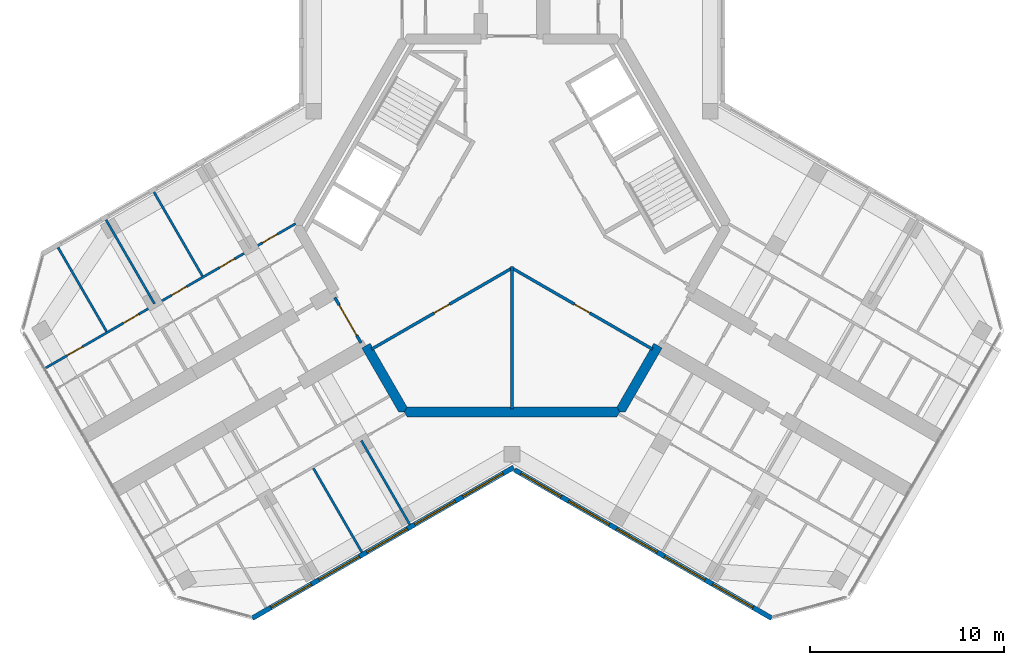
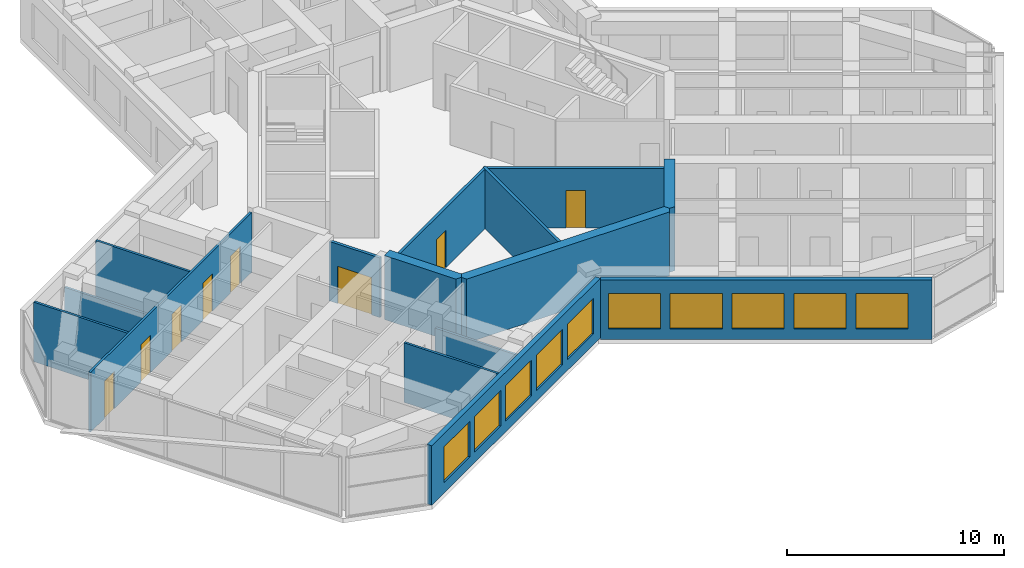
# One storey, part 8 of 14: 15 walls, 10 windows, 8 doors, 18 openings.
"""IFC4 building model written with IfcOpenShell, lengths in metres."""

from ifc_helpers import new_model, si_unit, direction, frame, frame_2d, origin, place, context, subcontext, project, spatial, polyline, rectangle, outline, extrude, material, layer, layer_set, type_object, element, fill, save


model = new_model("IFC4")

# Units and contexts
model_context = context("Model", 3, precision=1e-05, world=origin(), true_north=direction((0.0, 1.0)))
body_context = subcontext(model_context, "Body", "Model", "MODEL_VIEW")
ifc_project = project(units=[si_unit("LENGTHUNIT", "METRE"), si_unit("AREAUNIT", "SQUARE_METRE"), si_unit("VOLUMEUNIT", "CUBIC_METRE"), si_unit("PLANEANGLEUNIT", "RADIAN"), si_unit("MASSUNIT", "GRAM", prefix="KILO")], contexts=[model_context])

# Site, building, storey
site_placement = place(None, origin())
site = spatial("IfcSite", under=ifc_project, at=site_placement, CompositionType="ELEMENT")
building_placement = place(site_placement, origin())
building = spatial("IfcBuilding", under=site, at=building_placement, Name="Kosmar Iwan School Tower", CompositionType="ELEMENT")
storey_placement = place(building_placement, frame((0.0, 0.0, 292.60009765625)))
storey = spatial("IfcBuildingStorey", under=building, at=storey_placement, Name="L74", CompositionType="ELEMENT", Elevation=292.60009765625)

# Wall
ifc_material_1 = material(Name="Gypsum board on steel studs, fire-rated", Category="steel")
ifc_layer_1 = layer(ifc_material_1, 0.14990234375)
ifc_layer_set_1 = layer_set([ifc_layer_1], Name="Core room partition 150")
wall_type_1 = type_object("IfcWallType", Name="Core room partition 150", PredefinedType="PARTITIONING", material=ifc_layer_set_1)
wall_1_placement = place(storey_placement, frame((0.0, -9.445068359375, 0.0), z_axis=(0.0, 0.0, 1.0), x_axis=(0.0, 1.0, 0.0)))
element("IfcWall", 1, at=wall_1_placement, inside=storey, type_object=wall_type_1, Name="Core room partition L74-CW5", PredefinedType="PARTITIONING", context=body_context, shape_type="SweptSolid", body=[
    extrude(rectangle(XDim=7.326171875, YDim=0.14990234375, at=frame_2d((3.6630859375, 0.0))), origin(), (0.0, 0.0, 1.0), 3.349853515625),
])

# Wall, opening, door
wall_2_placement = place(storey_placement, frame((-0.06494140625, -2.156494140625, 0.0), z_axis=(0.0, 0.0, 1.0), x_axis=(0.866026299211, -0.499998449073, 0.0)))
wall_2 = element("IfcWall", 2, at=wall_2_placement, inside=storey, type_object=wall_type_1, Name="Core room partition L74-CW6", PredefinedType="PARTITIONING", context=body_context, shape_type="SweptSolid", body=[
    extrude(rectangle(XDim=8.4228515625, YDim=0.14990234375, at=frame_2d((4.21142578125, 0.0))), origin(), (0.0, 0.0, 1.0), 3.349853515625),
])
opening_1_placement = place(wall_2_placement, frame((3.797119140625, 0.0, 0.0)))
opening_1 = element("IfcOpeningElement", 3, at=opening_1_placement, cuts=wall_2, Name="Opening D14", PredefinedType="OPENING", context=body_context, shape_type="SweptSolid", body=[
    extrude(rectangle(XDim=0.89990234375, YDim=2.10009765625, at=frame_2d((0.449951171875, 1.050048828125))), frame((0.0, 0.0869140625, 0.0), z_axis=(0.0, -1.0, 0.0), x_axis=(1.0, 0.0, 0.0)), (0.0, 0.0, 1.0), 0.173828125),
])
ifc_material_2 = material(Name="Timber fire door in steel frame", Category="steel")
door_type_1 = type_object("IfcDoorType", Name="Core room door 900x2100", OperationType="SINGLE_SWING_LEFT", PredefinedType="DOOR", material=ifc_material_2)
door_1_placement = place(opening_1_placement, origin())
door_1 = element("IfcDoor", 4, at=door_1_placement, inside=storey, type_object=door_type_1, Name="Bulky waste store door L74 3", OperationType="SINGLE_SWING_RIGHT", OverallHeight=2.10009765625, OverallWidth=0.89990234375, PredefinedType="DOOR", context=body_context, shape_type="SweptSolid", body=[
    extrude(rectangle(XDim=0.89990234375, YDim=2.10009765625, at=frame_2d((0.449951171875, 1.050048828125))), frame((0.0, 0.02490234375, 0.0), z_axis=(0.0, -1.0, 0.0), x_axis=(1.0, 0.0, 0.0)), (0.0, 0.0, 1.0), 0.050048828125),
])
fill(opening_1, door_1)

wall_3_placement = place(storey_placement, frame((-7.2294921875, -6.367919921875, 0.0), z_axis=(0.0, 0.0, 1.0), x_axis=(0.866026299211, 0.499998449073, 0.0)))
wall_3 = element("IfcWall", 5, at=wall_3_placement, inside=storey, type_object=wall_type_1, Name="Core room partition L74-CW7", PredefinedType="PARTITIONING", context=body_context, shape_type="SweptSolid", body=[
    extrude(rectangle(XDim=8.4228515625, YDim=0.14990234375, at=frame_2d((4.21142578125, 0.0))), origin(), (0.0, 0.0, 1.0), 3.349853515625),
])
opening_2_placement = place(wall_3_placement, frame((3.72705078125, 0.0, 0.0)))
opening_2 = element("IfcOpeningElement", 6, at=opening_2_placement, cuts=wall_3, Name="Opening D14", PredefinedType="OPENING", context=body_context, shape_type="SweptSolid", body=[
    extrude(rectangle(XDim=0.89990234375, YDim=2.10009765625, at=frame_2d((0.449951171875, 1.050048828125))), frame((0.0, 0.0869140625, 0.0), z_axis=(0.0, -1.0, 0.0), x_axis=(1.0, 0.0, 0.0)), (0.0, 0.0, 1.0), 0.173828125),
])
door_2_placement = place(opening_2_placement, origin())
door_2 = element("IfcDoor", 7, at=door_2_placement, inside=storey, type_object=door_type_1, Name="Residents' laundry room door L74 4", OperationType="SINGLE_SWING_LEFT", OverallHeight=2.10009765625, OverallWidth=0.89990234375, PredefinedType="DOOR", context=body_context, shape_type="SweptSolid", body=[
    extrude(rectangle(XDim=0.89990234375, YDim=2.10009765625, at=frame_2d((0.449951171875, 1.050048828125))), frame((0.0, 0.02490234375, 0.0), z_axis=(0.0, -1.0, 0.0), x_axis=(1.0, 0.0, 0.0)), (0.0, 0.0, 1.0), 0.050048828125),
])
fill(opening_2, door_2)

# Walls
ifc_material_3 = material(Name="Concrete C50/60", Category="concrete")
ifc_layer_2 = layer(ifc_material_3, 0.5)
ifc_layer_set_2 = layer_set([ifc_layer_2], Name="Core wall 500")
wall_type_2 = type_object("IfcWallType", Name="Core wall 500", PredefinedType="SHEAR", material=ifc_layer_set_2)
wall_4_placement = place(storey_placement, origin())
element("IfcWall", 8, at=wall_4_placement, inside=storey, type_object=wall_type_2, Name="Core wall F210b", PredefinedType="SHEAR", context=body_context, shape_type="SweptSolid", body=[
    extrude(outline(polyline([(-5.831298828125, -9.60009765625), (-5.54248046875, -9.60009765625), (-5.398193359375, -9.35009765625), (-7.29736328125, -6.060546875), (-7.73046875, -6.310546875), (-5.831298828125, -9.60009765625)])), origin(), (0.0, 0.0, 1.0), 3.599853515625),
])
wall_5_placement = place(storey_placement, origin())
element("IfcWall", 9, at=wall_5_placement, inside=storey, type_object=wall_type_2, Name="Core wall F270", PredefinedType="SHEAR", context=body_context, shape_type="SweptSolid", body=[
    extrude(outline(polyline([(-5.398193359375, -9.85009765625), (5.398193359375, -9.85009765625), (5.54248046875, -9.60009765625), (5.398193359375, -9.35009765625), (-5.398193359375, -9.35009765625), (-5.54248046875, -9.60009765625), (-5.398193359375, -9.85009765625)])), origin(), (0.0, 0.0, 1.0), 3.599853515625),
])
wall_6_placement = place(storey_placement, origin())
element("IfcWall", 10, at=wall_6_placement, inside=storey, type_object=wall_type_2, Name="Core wall F330a", PredefinedType="SHEAR", context=body_context, shape_type="SweptSolid", body=[
    extrude(outline(polyline([(5.54248046875, -9.60009765625), (5.831298828125, -9.60009765625), (7.73046875, -6.310546875), (7.29736328125, -6.060546875), (5.398193359375, -9.35009765625), (5.54248046875, -9.60009765625)])), origin(), (0.0, 0.0, 1.0), 3.599853515625),
])

# Wall, opening, door
ifc_material_4 = material(Name="Steel framed glazed screen", Category="steel")
ifc_layer_3 = layer(ifc_material_4, 0.14990234375)
ifc_layer_set_3 = layer_set([ifc_layer_3], Name="Corridor screen wall 150")
wall_type_3 = type_object("IfcWallType", Name="Corridor screen wall 150", PredefinedType="PARTITIONING", material=ifc_layer_set_3)
wall_7_placement = place(storey_placement, frame((-9.11865234375, -3.705810546875, 0.0), z_axis=(0.0, 0.0, 1.0), x_axis=(0.4999416173, -0.866059108428, 0.0)))
wall_7 = element("IfcWall", 11, at=wall_7_placement, inside=storey, type_object=wall_type_3, Name="Corridor screen B L74", PredefinedType="PARTITIONING", context=body_context, shape_type="SweptSolid", body=[
    extrude(rectangle(XDim=2.699951171875, YDim=0.14990234375, at=frame_2d((1.35009765625, 0.0))), origin(), (0.0, 0.0, 1.0), 3.349853515625),
])
opening_3_placement = place(wall_7_placement, frame((0.449951171875, 0.0, 0.0)))
opening_3 = element("IfcOpeningElement", 12, at=opening_3_placement, cuts=wall_7, Name="Opening D9", PredefinedType="OPENING", context=body_context, shape_type="SweptSolid", body=[
    extrude(rectangle(XDim=1.800048828125, YDim=2.10009765625, at=frame_2d((0.89990234375, 1.050048828125))), frame((0.0, 0.0869140625, 0.0), z_axis=(0.0, -1.0, 0.0), x_axis=(1.0, 0.0, 0.0)), (0.0, 0.0, 1.0), 0.173828125),
])
ifc_material_5 = material(Name="Steel framed glazed smoke door", Category="steel")
door_type_2 = type_object("IfcDoorType", Name="Corridor smoke door pair 1800x2100", OperationType="DOUBLE_DOOR_DOUBLE_SWING", PredefinedType="DOOR", material=ifc_material_5)
door_3_placement = place(opening_3_placement, origin())
door_3 = element("IfcDoor", 13, at=door_3_placement, inside=storey, type_object=door_type_2, Name="Corridor doors B L74", OperationType="DOUBLE_DOOR_DOUBLE_SWING", OverallHeight=2.10009765625, OverallWidth=1.800048828125, PredefinedType="DOOR", context=body_context, shape_type="SweptSolid", body=[
    extrude(rectangle(XDim=1.800048828125, YDim=2.10009765625, at=frame_2d((0.89990234375, 1.050048828125))), frame((0.0, 0.02490234375, 0.0), z_axis=(0.0, -1.0, 0.0), x_axis=(1.0, 0.0, 0.0)), (0.0, 0.0, 1.0), 0.050048828125),
])
fill(opening_3, door_3)

# Walls
ifc_material_6 = material(Name="Gypsum board on steel studs", Category="steel")
ifc_layer_4 = layer(ifc_material_6, 0.1201171875)
ifc_layer_set_4 = layer_set([ifc_layer_4], Name="Dwelling partition 120")
wall_type_4 = type_object("IfcWallType", Name="Dwelling partition 120", PredefinedType="PARTITIONING", material=ifc_layer_set_4)
wall_8_placement = place(storey_placement, frame((-7.75390625, -11.070068359375, 0.0), z_axis=(0.0, 0.0, 1.0), x_axis=(0.500011847778, -0.866018563358, 0.0)))
element("IfcWall", 14, at=wall_8_placement, inside=storey, type_object=wall_type_4, Name="Partition L74-BL1-X1", PredefinedType="PARTITIONING", context=body_context, shape_type="SweptSolid", body=[
    extrude(rectangle(XDim=4.990234375, YDim=0.1201171875, at=frame_2d((2.4951171875, 0.0))), origin(), (0.0, 0.0, 1.0), 2.449951171875),
])
wall_9_placement = place(storey_placement, frame((-10.221923828125, -12.4951171875, 0.0), z_axis=(0.0, 0.0, 1.0), x_axis=(0.499996339024, -0.86602751744, 0.0)))
element("IfcWall", 15, at=wall_9_placement, inside=storey, type_object=wall_type_4, Name="Partition L74-BL1-X2", PredefinedType="PARTITIONING", context=body_context, shape_type="SweptSolid", body=[
    extrude(rectangle(XDim=4.98974609375, YDim=0.1201171875, at=frame_2d((2.494873046875, 0.0))), origin(), (0.0, 0.0, 1.0), 3.349853515625),
])

# Wall, openings, doors
wall_10_placement = place(storey_placement, frame((-11.138916015625, 0.093017578125, 0.0), z_axis=(0.0, 0.0, 1.0), x_axis=(-0.866030301974, -0.499991515992, 0.0)))
wall_10 = element("IfcWall", 16, at=wall_10_placement, inside=storey, type_object=wall_type_4, Name="Partition L74-BR1-W2", PredefinedType="PARTITIONING", context=body_context, shape_type="SweptSolid", body=[
    extrude(rectangle(XDim=14.844970703125, YDim=0.1201171875, at=frame_2d((7.42236328125, 0.0))), origin(), (0.0, 0.0, 1.0), 3.349853515625),
])
opening_4_placement = place(wall_10_placement, frame((1.074951171875, 0.0, 0.0)))
opening_4 = element("IfcOpeningElement", 17, at=opening_4_placement, cuts=wall_10, Name="Opening D2", PredefinedType="OPENING", context=body_context, shape_type="SweptSolid", body=[
    extrude(rectangle(XDim=0.89990234375, YDim=2.10009765625, at=frame_2d((0.449951171875, 1.050048828125))), frame((0.0, 0.072021484375, 0.0), z_axis=(0.0, -1.0, 0.0), x_axis=(1.0, 0.0, 0.0)), (0.0, 0.0, 1.0), 0.14404296875),
])
opening_5_placement = place(wall_10_placement, frame((3.625, 0.0, 0.0)))
opening_5 = element("IfcOpeningElement", 18, at=opening_5_placement, cuts=wall_10, Name="Opening D2", PredefinedType="OPENING", context=body_context, shape_type="SweptSolid", body=[
    extrude(rectangle(XDim=0.89990234375, YDim=2.10009765625, at=frame_2d((0.449951171875, 1.050048828125))), frame((0.0, 0.072021484375, 0.0), z_axis=(0.0, -1.0, 0.0), x_axis=(1.0, 0.0, 0.0)), (0.0, 0.0, 1.0), 0.14404296875),
])
opening_6_placement = place(wall_10_placement, frame((6.47509765625, 0.0, 0.0)))
opening_6 = element("IfcOpeningElement", 19, at=opening_6_placement, cuts=wall_10, Name="Opening D2", PredefinedType="OPENING", context=body_context, shape_type="SweptSolid", body=[
    extrude(rectangle(XDim=0.89990234375, YDim=2.10009765625, at=frame_2d((0.449951171875, 1.050048828125))), frame((0.0, 0.072021484375, 0.0), z_axis=(0.0, -1.0, 0.0), x_axis=(1.0, 0.0, 0.0)), (0.0, 0.0, 1.0), 0.14404296875),
])
opening_7_placement = place(wall_10_placement, frame((9.324951171875, 0.0, 0.0)))
opening_7 = element("IfcOpeningElement", 20, at=opening_7_placement, cuts=wall_10, Name="Opening D2", PredefinedType="OPENING", context=body_context, shape_type="SweptSolid", body=[
    extrude(rectangle(XDim=0.89990234375, YDim=2.10009765625, at=frame_2d((0.449951171875, 1.050048828125))), frame((0.0, 0.072021484375, 0.0), z_axis=(0.0, -1.0, 0.0), x_axis=(1.0, 0.0, 0.0)), (0.0, 0.0, 1.0), 0.14404296875),
])
opening_8_placement = place(wall_10_placement, frame((12.675048828125, 0.0, 0.0)))
opening_8 = element("IfcOpeningElement", 21, at=opening_8_placement, cuts=wall_10, Name="Opening D2", PredefinedType="OPENING", context=body_context, shape_type="SweptSolid", body=[
    extrude(rectangle(XDim=0.89990234375, YDim=2.10009765625, at=frame_2d((0.449951171875, 1.050048828125))), frame((0.0, 0.072021484375, 0.0), z_axis=(0.0, -1.0, 0.0), x_axis=(1.0, 0.0, 0.0)), (0.0, 0.0, 1.0), 0.14404296875),
])
ifc_material_7 = material(Name="Timber door in timber frame", Category="wood")
door_type_3 = type_object("IfcDoorType", Name="Internal door 900x2100", OperationType="SINGLE_SWING_LEFT", PredefinedType="DOOR", material=ifc_material_7)
door_4_placement = place(opening_4_placement, origin())
door_4 = element("IfcDoor", 22, at=door_4_placement, inside=storey, type_object=door_type_3, Name="Living room and kitchen door L74-BR1-F1", OperationType="SINGLE_SWING_LEFT", OverallHeight=2.10009765625, OverallWidth=0.89990234375, PredefinedType="DOOR", context=body_context, shape_type="SweptSolid", body=[
    extrude(rectangle(XDim=0.89990234375, YDim=2.10009765625, at=frame_2d((0.449951171875, 1.050048828125))), frame((0.0, 0.02490234375, 0.0), z_axis=(0.0, -1.0, 0.0), x_axis=(1.0, 0.0, 0.0)), (0.0, 0.0, 1.0), 0.050048828125),
])
fill(opening_4, door_4)
door_5_placement = place(opening_5_placement, origin())
door_5 = element("IfcDoor", 23, at=door_5_placement, inside=storey, type_object=door_type_3, Name="Study door L74-BR1-F2", OperationType="SINGLE_SWING_LEFT", OverallHeight=2.10009765625, OverallWidth=0.89990234375, PredefinedType="DOOR", context=body_context, shape_type="SweptSolid", body=[
    extrude(rectangle(XDim=0.89990234375, YDim=2.10009765625, at=frame_2d((0.449951171875, 1.050048828125))), frame((0.0, 0.02490234375, 0.0), z_axis=(0.0, -1.0, 0.0), x_axis=(1.0, 0.0, 0.0)), (0.0, 0.0, 1.0), 0.050048828125),
])
fill(opening_5, door_5)
door_6_placement = place(opening_6_placement, origin())
door_6 = element("IfcDoor", 24, at=door_6_placement, inside=storey, type_object=door_type_3, Name="Bedroom 2 door L74-BR1-F3", OperationType="SINGLE_SWING_LEFT", OverallHeight=2.10009765625, OverallWidth=0.89990234375, PredefinedType="DOOR", context=body_context, shape_type="SweptSolid", body=[
    extrude(rectangle(XDim=0.89990234375, YDim=2.10009765625, at=frame_2d((0.449951171875, 1.050048828125))), frame((0.0, 0.02490234375, 0.0), z_axis=(0.0, -1.0, 0.0), x_axis=(1.0, 0.0, 0.0)), (0.0, 0.0, 1.0), 0.050048828125),
])
fill(opening_6, door_6)
door_7_placement = place(opening_7_placement, origin())
door_7 = element("IfcDoor", 25, at=door_7_placement, inside=storey, type_object=door_type_3, Name="Dining room door L74-BR1-F4", OperationType="SINGLE_SWING_RIGHT", OverallHeight=2.10009765625, OverallWidth=0.89990234375, PredefinedType="DOOR", context=body_context, shape_type="SweptSolid", body=[
    extrude(rectangle(XDim=0.89990234375, YDim=2.10009765625, at=frame_2d((0.449951171875, 1.050048828125))), frame((0.0, 0.02490234375, 0.0), z_axis=(0.0, -1.0, 0.0), x_axis=(1.0, 0.0, 0.0)), (0.0, 0.0, 1.0), 0.050048828125),
])
fill(opening_7, door_7)
door_8_placement = place(opening_8_placement, origin())
door_8 = element("IfcDoor", 26, at=door_8_placement, inside=storey, type_object=door_type_3, Name="Bedroom 1 door L74-BR1-F5", OperationType="SINGLE_SWING_RIGHT", OverallHeight=2.10009765625, OverallWidth=0.89990234375, PredefinedType="DOOR", context=body_context, shape_type="SweptSolid", body=[
    extrude(rectangle(XDim=0.89990234375, YDim=2.10009765625, at=frame_2d((0.449951171875, 1.050048828125))), frame((0.0, 0.02490234375, 0.0), z_axis=(0.0, -1.0, 0.0), x_axis=(1.0, 0.0, 0.0)), (0.0, 0.0, 1.0), 0.050048828125),
])
fill(opening_8, door_8)

# Walls
wall_11_placement = place(storey_placement, frame((-15.931884765625, -2.60498046875, 0.0), z_axis=(0.0, 0.0, 1.0), x_axis=(-0.500011847778, 0.866018563358, 0.0)))
element("IfcWall", 27, at=wall_11_placement, inside=storey, type_object=wall_type_4, Name="Partition L74-BR1-X2", PredefinedType="PARTITIONING", context=body_context, shape_type="SweptSolid", body=[
    extrude(rectangle(XDim=4.990234375, YDim=0.1201171875, at=frame_2d((2.4951171875, 0.0))), origin(), (0.0, 0.0, 1.0), 3.349853515625),
])
wall_12_placement = place(storey_placement, frame((-18.400146484375, -4.030029296875, 0.0), z_axis=(0.0, 0.0, 1.0), x_axis=(-0.500011847778, 0.866018563358, 0.0)))
element("IfcWall", 28, at=wall_12_placement, inside=storey, type_object=wall_type_4, Name="Partition L74-BR1-X3", PredefinedType="PARTITIONING", context=body_context, shape_type="SweptSolid", body=[
    extrude(rectangle(XDim=4.990234375, YDim=0.1201171875, at=frame_2d((2.4951171875, 0.0))), origin(), (0.0, 0.0, 1.0), 2.449951171875),
])
wall_13_placement = place(storey_placement, frame((-20.868408203125, -5.455078125, 0.0), z_axis=(0.0, 0.0, 1.0), x_axis=(-0.499975153383, 0.86603974851, 0.0)))
element("IfcWall", 29, at=wall_13_placement, inside=storey, type_object=wall_type_4, Name="Partition L74-BR1-X4", PredefinedType="PARTITIONING", context=body_context, shape_type="SweptSolid", body=[
    extrude(rectangle(XDim=4.989990234375, YDim=0.1201171875, at=frame_2d((2.4951171875, 0.0))), origin(), (0.0, 0.0, 1.0), 3.349853515625),
])

# Wall, openings, windows
ifc_material_8 = material(Name="Black aluminium rainscreen on insulated framing", Category="aluminium")
ifc_layer_5 = layer(ifc_material_8, 0.25)
ifc_layer_set_5 = layer_set([ifc_layer_5], Name="External wall rainscreen 250")
wall_type_5 = type_object("IfcWallType", Name="External wall rainscreen 250", PredefinedType="SOLIDWALL", material=ifc_layer_set_5)
wall_14_placement = place(storey_placement, frame((0.088134765625, -12.44873046875, 0.0), z_axis=(0.0, 0.0, 1.0), x_axis=(-0.866029894971, -0.499992220956, 0.0)))
wall_14 = element("IfcWall", 30, at=wall_14_placement, inside=storey, type_object=wall_type_5, Name="External wall BL L74", PredefinedType="SOLIDWALL", context=body_context, shape_type="SweptSolid", body=[
    extrude(rectangle(XDim=15.537353515625, YDim=0.25, at=frame_2d((7.7685546875, 0.0))), origin(), (0.0, 0.0, 1.0), 3.349853515625),
])
opening_9_placement = place(wall_14_placement, frame((0.626953125, 0.0, 0.60009765625)))
opening_9 = element("IfcOpeningElement", 31, at=opening_9_placement, cuts=wall_14, Name="Opening W6", PredefinedType="OPENING", context=body_context, shape_type="SweptSolid", body=[
    extrude(rectangle(XDim=2.39990234375, YDim=2.0, at=frame_2d((1.199951171875, 1.0))), frame((0.0, 0.136962890625, 0.0), z_axis=(0.0, -1.0, 0.0), x_axis=(1.0, 0.0, 0.0)), (0.0, 0.0, 1.0), 0.27392578125),
])
opening_10_placement = place(wall_14_placement, frame((3.47705078125, 0.0, 0.60009765625)))
opening_10 = element("IfcOpeningElement", 32, at=opening_10_placement, cuts=wall_14, Name="Opening W6", PredefinedType="OPENING", context=body_context, shape_type="SweptSolid", body=[
    extrude(rectangle(XDim=2.39990234375, YDim=2.0, at=frame_2d((1.199951171875, 1.0))), frame((0.0, 0.136962890625, 0.0), z_axis=(0.0, -1.0, 0.0), x_axis=(1.0, 0.0, 0.0)), (0.0, 0.0, 1.0), 0.27392578125),
])
opening_11_placement = place(wall_14_placement, frame((6.326904296875, 0.0, 0.60009765625)))
opening_11 = element("IfcOpeningElement", 33, at=opening_11_placement, cuts=wall_14, Name="Opening W6", PredefinedType="OPENING", context=body_context, shape_type="SweptSolid", body=[
    extrude(rectangle(XDim=2.39990234375, YDim=2.0, at=frame_2d((1.199951171875, 1.0))), frame((0.0, 0.136962890625, 0.0), z_axis=(0.0, -1.0, 0.0), x_axis=(1.0, 0.0, 0.0)), (0.0, 0.0, 1.0), 0.27392578125),
])
opening_12_placement = place(wall_14_placement, frame((9.177001953125, 0.0, 0.60009765625)))
opening_12 = element("IfcOpeningElement", 34, at=opening_12_placement, cuts=wall_14, Name="Opening W6", PredefinedType="OPENING", context=body_context, shape_type="SweptSolid", body=[
    extrude(rectangle(XDim=2.39990234375, YDim=2.0, at=frame_2d((1.199951171875, 1.0))), frame((0.0, 0.136962890625, 0.0), z_axis=(0.0, -1.0, 0.0), x_axis=(1.0, 0.0, 0.0)), (0.0, 0.0, 1.0), 0.27392578125),
])
opening_13_placement = place(wall_14_placement, frame((12.027099609375, 0.0, 0.60009765625)))
opening_13 = element("IfcOpeningElement", 35, at=opening_13_placement, cuts=wall_14, Name="Opening W6", PredefinedType="OPENING", context=body_context, shape_type="SweptSolid", body=[
    extrude(rectangle(XDim=2.39990234375, YDim=2.0, at=frame_2d((1.199951171875, 1.0))), frame((0.0, 0.136962890625, 0.0), z_axis=(0.0, -1.0, 0.0), x_axis=(1.0, 0.0, 0.0)), (0.0, 0.0, 1.0), 0.27392578125),
])
ifc_material_9 = material(Name="Black aluminium frame with dark triple glazing", Category="aluminium")
window_type = type_object("IfcWindowType", Name="Window 2400x2000", PartitioningType="SINGLE_PANEL", PredefinedType="WINDOW", material=ifc_material_9)
window_1_placement = place(opening_9_placement, origin())
window_1 = element("IfcWindow", 36, at=window_1_placement, inside=storey, type_object=window_type, Name="Window BL L74 -1", OverallHeight=2.0, OverallWidth=2.39990234375, PartitioningType="SINGLE_PANEL", PredefinedType="WINDOW", context=body_context, shape_type="SweptSolid", body=[
    extrude(rectangle(XDim=2.39990234375, YDim=2.0, at=frame_2d((1.199951171875, 1.0))), frame((0.0, 0.030029296875, 0.0), z_axis=(0.0, -1.0, 0.0), x_axis=(1.0, 0.0, 0.0)), (0.0, 0.0, 1.0), 0.06005859375),
])
fill(opening_9, window_1)
window_2_placement = place(opening_10_placement, origin())
window_2 = element("IfcWindow", 37, at=window_2_placement, inside=storey, type_object=window_type, Name="Window BL L74 0", OverallHeight=2.0, OverallWidth=2.39990234375, PartitioningType="SINGLE_PANEL", PredefinedType="WINDOW", context=body_context, shape_type="SweptSolid", body=[
    extrude(rectangle(XDim=2.39990234375, YDim=2.0, at=frame_2d((1.199951171875, 1.0))), frame((0.0, 0.030029296875, 0.0), z_axis=(0.0, -1.0, 0.0), x_axis=(1.0, 0.0, 0.0)), (0.0, 0.0, 1.0), 0.06005859375),
])
fill(opening_10, window_2)
window_3_placement = place(opening_11_placement, origin())
window_3 = element("IfcWindow", 38, at=window_3_placement, inside=storey, type_object=window_type, Name="Window BL L74 1", OverallHeight=2.0, OverallWidth=2.39990234375, PartitioningType="SINGLE_PANEL", PredefinedType="WINDOW", context=body_context, shape_type="SweptSolid", body=[
    extrude(rectangle(XDim=2.39990234375, YDim=2.0, at=frame_2d((1.199951171875, 1.0))), frame((0.0, 0.030029296875, 0.0), z_axis=(0.0, -1.0, 0.0), x_axis=(1.0, 0.0, 0.0)), (0.0, 0.0, 1.0), 0.06005859375),
])
fill(opening_11, window_3)
window_4_placement = place(opening_12_placement, origin())
window_4 = element("IfcWindow", 39, at=window_4_placement, inside=storey, type_object=window_type, Name="Window BL L74 2", OverallHeight=2.0, OverallWidth=2.39990234375, PartitioningType="SINGLE_PANEL", PredefinedType="WINDOW", context=body_context, shape_type="SweptSolid", body=[
    extrude(rectangle(XDim=2.39990234375, YDim=2.0, at=frame_2d((1.199951171875, 1.0))), frame((0.0, 0.030029296875, 0.0), z_axis=(0.0, -1.0, 0.0), x_axis=(1.0, 0.0, 0.0)), (0.0, 0.0, 1.0), 0.06005859375),
])
fill(opening_12, window_4)
window_5_placement = place(opening_13_placement, origin())
window_5 = element("IfcWindow", 40, at=window_5_placement, inside=storey, type_object=window_type, Name="Window BL L74 3", OverallHeight=2.0, OverallWidth=2.39990234375, PartitioningType="SINGLE_PANEL", PredefinedType="WINDOW", context=body_context, shape_type="SweptSolid", body=[
    extrude(rectangle(XDim=2.39990234375, YDim=2.0, at=frame_2d((1.199951171875, 1.0))), frame((0.0, 0.030029296875, 0.0), z_axis=(0.0, -1.0, 0.0), x_axis=(1.0, 0.0, 0.0)), (0.0, 0.0, 1.0), 0.06005859375),
])
fill(opening_13, window_5)

wall_15_placement = place(storey_placement, frame((0.137939453125, -12.5791015625, 0.0), z_axis=(0.0, 0.0, 1.0), x_axis=(0.866025637253, -0.499999595621, 0.0)))
wall_15 = element("IfcWall", 41, at=wall_15_placement, inside=storey, type_object=wall_type_5, Name="External wall CR L74", PredefinedType="SOLIDWALL", context=body_context, shape_type="SweptSolid", body=[
    extrude(rectangle(XDim=15.2763671875, YDim=0.25, at=frame_2d((7.63818359375, 0.0))), origin(), (0.0, 0.0, 1.0), 3.349853515625),
])
opening_14_placement = place(wall_15_placement, frame((0.365966796875, 0.0, 0.60009765625)))
opening_14 = element("IfcOpeningElement", 42, at=opening_14_placement, cuts=wall_15, Name="Opening W6", PredefinedType="OPENING", context=body_context, shape_type="SweptSolid", body=[
    extrude(rectangle(XDim=2.39990234375, YDim=2.0, at=frame_2d((1.199951171875, 1.0))), frame((0.0, 0.136962890625, 0.0), z_axis=(0.0, -1.0, 0.0), x_axis=(1.0, 0.0, 0.0)), (0.0, 0.0, 1.0), 0.27392578125),
])
opening_15_placement = place(wall_15_placement, frame((3.216064453125, 0.0, 0.60009765625)))
opening_15 = element("IfcOpeningElement", 43, at=opening_15_placement, cuts=wall_15, Name="Opening W6", PredefinedType="OPENING", context=body_context, shape_type="SweptSolid", body=[
    extrude(rectangle(XDim=2.39990234375, YDim=2.0, at=frame_2d((1.199951171875, 1.0))), frame((0.0, 0.136962890625, 0.0), z_axis=(0.0, -1.0, 0.0), x_axis=(1.0, 0.0, 0.0)), (0.0, 0.0, 1.0), 0.27392578125),
])
opening_16_placement = place(wall_15_placement, frame((6.06591796875, 0.0, 0.60009765625)))
opening_16 = element("IfcOpeningElement", 44, at=opening_16_placement, cuts=wall_15, Name="Opening W6", PredefinedType="OPENING", context=body_context, shape_type="SweptSolid", body=[
    extrude(rectangle(XDim=2.39990234375, YDim=2.0, at=frame_2d((1.199951171875, 1.0))), frame((0.0, 0.136962890625, 0.0), z_axis=(0.0, -1.0, 0.0), x_axis=(1.0, 0.0, 0.0)), (0.0, 0.0, 1.0), 0.27392578125),
])
opening_17_placement = place(wall_15_placement, frame((8.916015625, 0.0, 0.60009765625)))
opening_17 = element("IfcOpeningElement", 45, at=opening_17_placement, cuts=wall_15, Name="Opening W6", PredefinedType="OPENING", context=body_context, shape_type="SweptSolid", body=[
    extrude(rectangle(XDim=2.39990234375, YDim=2.0, at=frame_2d((1.199951171875, 1.0))), frame((0.0, 0.136962890625, 0.0), z_axis=(0.0, -1.0, 0.0), x_axis=(1.0, 0.0, 0.0)), (0.0, 0.0, 1.0), 0.27392578125),
])
opening_18_placement = place(wall_15_placement, frame((11.76611328125, 0.0, 0.60009765625)))
opening_18 = element("IfcOpeningElement", 46, at=opening_18_placement, cuts=wall_15, Name="Opening W6", PredefinedType="OPENING", context=body_context, shape_type="SweptSolid", body=[
    extrude(rectangle(XDim=2.39990234375, YDim=2.0, at=frame_2d((1.199951171875, 1.0))), frame((0.0, 0.136962890625, 0.0), z_axis=(0.0, -1.0, 0.0), x_axis=(1.0, 0.0, 0.0)), (0.0, 0.0, 1.0), 0.27392578125),
])
window_6_placement = place(opening_14_placement, origin())
window_6 = element("IfcWindow", 47, at=window_6_placement, inside=storey, type_object=window_type, Name="Window CR L74 -1", OverallHeight=2.0, OverallWidth=2.39990234375, PartitioningType="SINGLE_PANEL", PredefinedType="WINDOW", context=body_context, shape_type="SweptSolid", body=[
    extrude(rectangle(XDim=2.39990234375, YDim=2.0, at=frame_2d((1.199951171875, 1.0))), frame((0.0, 0.030029296875, 0.0), z_axis=(0.0, -1.0, 0.0), x_axis=(1.0, 0.0, 0.0)), (0.0, 0.0, 1.0), 0.06005859375),
])
fill(opening_14, window_6)
window_7_placement = place(opening_15_placement, origin())
window_7 = element("IfcWindow", 48, at=window_7_placement, inside=storey, type_object=window_type, Name="Window CR L74 0", OverallHeight=2.0, OverallWidth=2.39990234375, PartitioningType="SINGLE_PANEL", PredefinedType="WINDOW", context=body_context, shape_type="SweptSolid", body=[
    extrude(rectangle(XDim=2.39990234375, YDim=2.0, at=frame_2d((1.199951171875, 1.0))), frame((0.0, 0.030029296875, 0.0), z_axis=(0.0, -1.0, 0.0), x_axis=(1.0, 0.0, 0.0)), (0.0, 0.0, 1.0), 0.06005859375),
])
fill(opening_15, window_7)
window_8_placement = place(opening_16_placement, origin())
window_8 = element("IfcWindow", 49, at=window_8_placement, inside=storey, type_object=window_type, Name="Window CR L74 1", OverallHeight=2.0, OverallWidth=2.39990234375, PartitioningType="SINGLE_PANEL", PredefinedType="WINDOW", context=body_context, shape_type="SweptSolid", body=[
    extrude(rectangle(XDim=2.39990234375, YDim=2.0, at=frame_2d((1.199951171875, 1.0))), frame((0.0, 0.030029296875, 0.0), z_axis=(0.0, -1.0, 0.0), x_axis=(1.0, 0.0, 0.0)), (0.0, 0.0, 1.0), 0.06005859375),
])
fill(opening_16, window_8)
window_9_placement = place(opening_17_placement, origin())
window_9 = element("IfcWindow", 50, at=window_9_placement, inside=storey, type_object=window_type, Name="Window CR L74 2", OverallHeight=2.0, OverallWidth=2.39990234375, PartitioningType="SINGLE_PANEL", PredefinedType="WINDOW", context=body_context, shape_type="SweptSolid", body=[
    extrude(rectangle(XDim=2.39990234375, YDim=2.0, at=frame_2d((1.199951171875, 1.0))), frame((0.0, 0.030029296875, 0.0), z_axis=(0.0, -1.0, 0.0), x_axis=(1.0, 0.0, 0.0)), (0.0, 0.0, 1.0), 0.06005859375),
])
fill(opening_17, window_9)
window_10_placement = place(opening_18_placement, origin())
window_10 = element("IfcWindow", 51, at=window_10_placement, inside=storey, type_object=window_type, Name="Window CR L74 3", OverallHeight=2.0, OverallWidth=2.39990234375, PartitioningType="SINGLE_PANEL", PredefinedType="WINDOW", context=body_context, shape_type="SweptSolid", body=[
    extrude(rectangle(XDim=2.39990234375, YDim=2.0, at=frame_2d((1.199951171875, 1.0))), frame((0.0, 0.030029296875, 0.0), z_axis=(0.0, -1.0, 0.0), x_axis=(1.0, 0.0, 0.0)), (0.0, 0.0, 1.0), 0.06005859375),
])
fill(opening_18, window_10)

save(model, "model.ifc")
